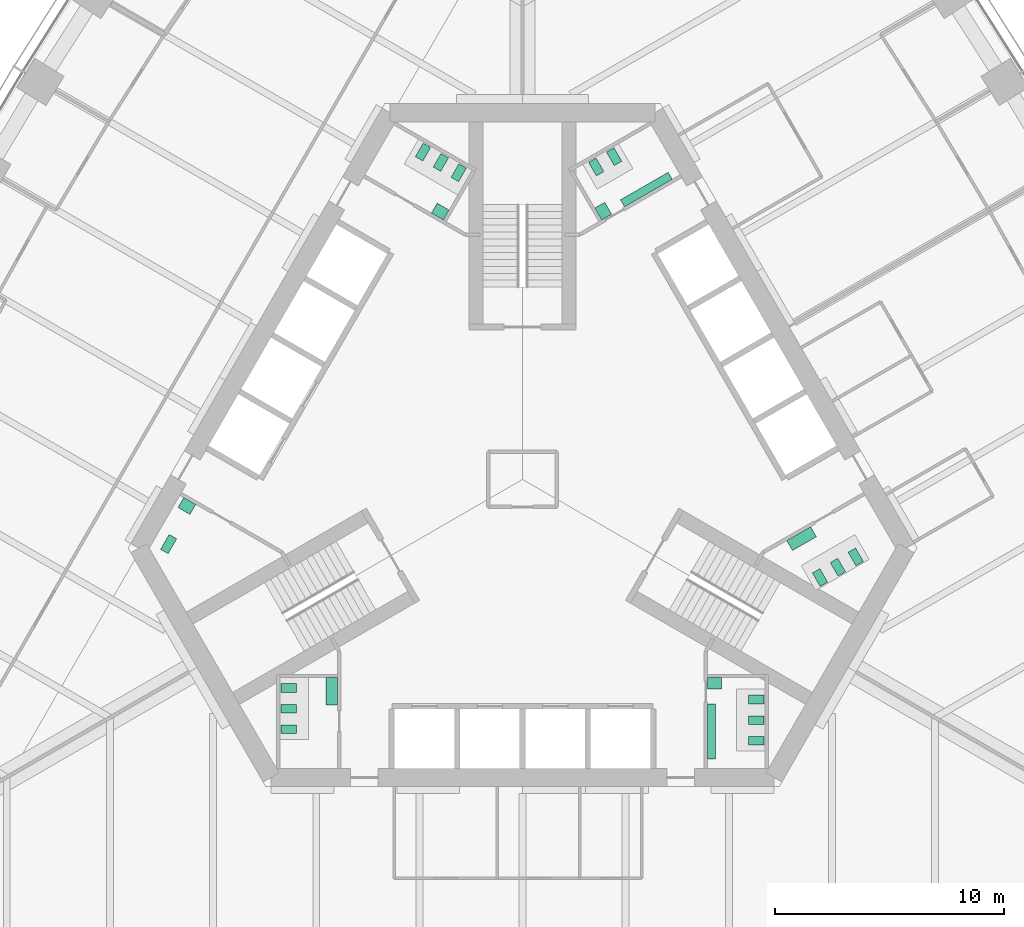
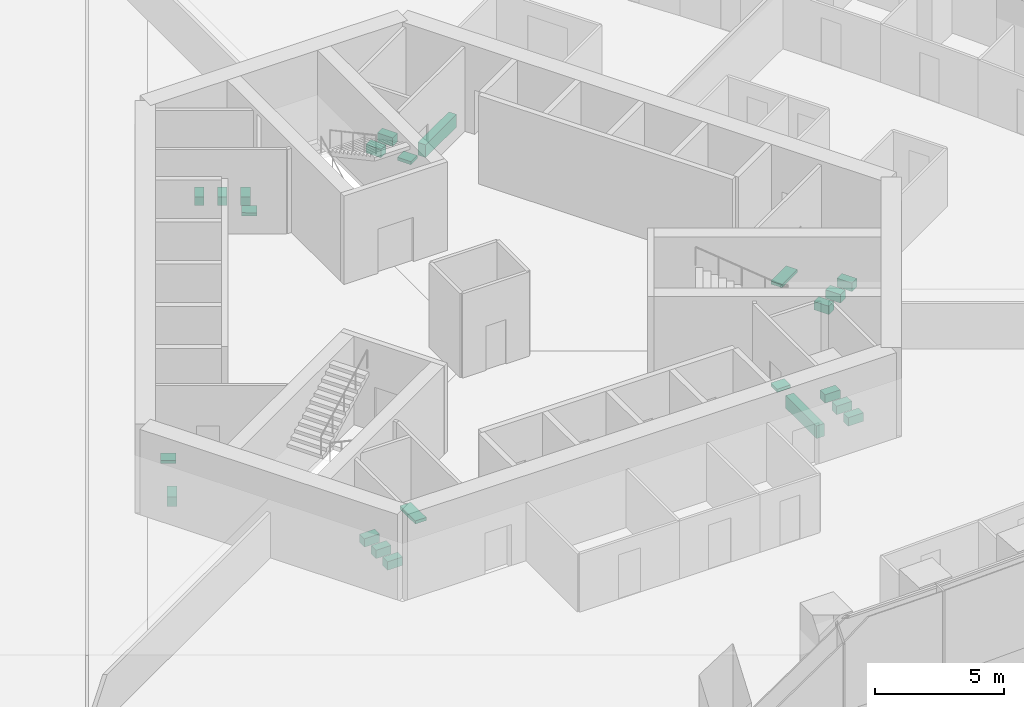
# One storey, part 17 of 18: 23 sanitary terminals.
"""IFC4 building model written with IfcOpenShell, lengths in metres."""

from ifc_helpers import new_model, si_unit, direction, frame, origin, place, context, subcontext, project, spatial, polyline, outline, extrude, material, type_object, element, save


model = new_model("IFC4")

# Units and contexts
model_context = context("Model", 3, precision=1e-05, world=origin(), true_north=direction((0.0, 1.0)))
body_context = subcontext(model_context, "Body", "Model", "MODEL_VIEW")
ifc_project = project(units=[si_unit("LENGTHUNIT", "METRE"), si_unit("AREAUNIT", "SQUARE_METRE"), si_unit("VOLUMEUNIT", "CUBIC_METRE"), si_unit("PLANEANGLEUNIT", "RADIAN"), si_unit("MASSUNIT", "GRAM", prefix="KILO")], contexts=[model_context])

# Site, building, storey
site_placement = place(None, origin())
site = spatial("IfcSite", under=ifc_project, at=site_placement, CompositionType="ELEMENT")
building_placement = place(site_placement, origin())
building = spatial("IfcBuilding", under=site, at=building_placement, Name="Trefoil Bronze Tower", CompositionType="ELEMENT")
storey_placement = place(building_placement, frame((0.0, 0.0, 50.10009765625)))
storey = spatial("IfcBuildingStorey", under=building, at=storey_placement, Name="L11", CompositionType="ELEMENT", Elevation=50.10009765625)

# Sanitary terminals
ifc_material_1 = material(Name="Vitreous china", Category="ceramic")
sanitary_terminal_type_1 = type_object("IfcSanitaryTerminalType", Name="Accessible WC pan", PredefinedType="TOILETPAN", material=ifc_material_1)
sanitary_terminal_1_placement = place(storey_placement, origin())
element("IfcSanitaryTerminal", 1, at=sanitary_terminal_1_placement, inside=storey, type_object=sanitary_terminal_type_1, Name="WC pan 1 Accessible WC L11", PredefinedType="TOILETPAN", context=body_context, shape_type="SweptSolid", body=[
    extrude(outline(polyline([(-15.085693359375, -2.589111328125), (-15.460693359375, -3.238525390625), (-15.789794921875, -3.048583984375), (-15.414794921875, -2.399169921875), (-15.085693359375, -2.589111328125)])), origin(), (0.0, 0.0, 1.0), 0.449951171875),
])
ifc_material_2 = material(Name="Vitreous china", Category="ceramic")
sanitary_terminal_type_2 = type_object("IfcSanitaryTerminalType", Name="Accessible basin", PredefinedType="WASHHANDBASIN", material=ifc_material_2)
sanitary_terminal_2_placement = place(storey_placement, frame((0.0, 0.0, 0.64990234375)))
element("IfcSanitaryTerminal", 2, at=sanitary_terminal_2_placement, inside=storey, type_object=sanitary_terminal_type_2, Name="Wash basin Accessible WC L11", PredefinedType="WASHHANDBASIN", context=body_context, shape_type="SweptSolid", body=[
    extrude(outline(polyline([(-14.256591796875, -1.09326171875), (-14.506591796875, -1.526123046875), (-15.026123046875, -1.22607421875), (-14.776123046875, -0.793212890625), (-14.256591796875, -1.09326171875)])), origin(), (0.0, 0.0, 1.0), 0.14990234375),
])
ifc_material_3 = material(Name="Vitreous china", Category="ceramic")
sanitary_terminal_type_3 = type_object("IfcSanitaryTerminalType", Name="Urinal range 4 urinals", PredefinedType="URINAL", material=ifc_material_3)
sanitary_terminal_3_placement = place(storey_placement, frame((0.0, 0.0, 0.39990234375)))
element("IfcSanitaryTerminal", 3, at=sanitary_terminal_3_placement, inside=storey, type_object=sanitary_terminal_type_3, Name="Urinal range WC (men) L11", PredefinedType="URINAL", context=body_context, shape_type="SweptSolid", body=[
    extrude(outline(polyline([(8.074951171875, -9.800048828125), (8.425048828125, -9.800048828125), (8.425048828125, -12.199951171875), (8.074951171875, -12.199951171875), (8.074951171875, -9.800048828125)])), origin(), (0.0, 0.0, 1.0), 0.60009765625),
])
sanitary_terminal_4_placement = place(storey_placement, frame((0.0, 0.0, 0.39990234375)))
element("IfcSanitaryTerminal", 4, at=sanitary_terminal_4_placement, inside=storey, type_object=sanitary_terminal_type_3, Name="Urinal range WC (men) L11", PredefinedType="URINAL", context=body_context, shape_type="SweptSolid", body=[
    extrude(outline(polyline([(4.449462890625, 11.89306640625), (4.274658203125, 12.1962890625), (6.35302734375, 13.396240234375), (6.528076171875, 13.09326171875), (4.449462890625, 11.89306640625)])), origin(), (0.0, 0.0, 1.0), 0.60009765625),
])
ifc_material_4 = material(Name="Solid surface vanity", Category="plastic")
sanitary_terminal_type_4 = type_object("IfcSanitaryTerminalType", Name="Vanity unit 1 basins", PredefinedType="WASHHANDBASIN", material=ifc_material_4)
sanitary_terminal_5_placement = place(storey_placement, frame((0.0, 0.0, 0.75)))
element("IfcSanitaryTerminal", 5, at=sanitary_terminal_5_placement, inside=storey, type_object=sanitary_terminal_type_4, Name="Vanity unit WC (men) L11", PredefinedType="WASHHANDBASIN", context=body_context, shape_type="SweptSolid", body=[
    extrude(outline(polyline([(8.074951171875, -8.64990234375), (8.675048828125, -8.64990234375), (8.675048828125, -9.14990234375), (8.074951171875, -9.14990234375), (8.074951171875, -8.64990234375)])), origin(), (0.0, 0.0, 1.0), 0.14990234375),
])
sanitary_terminal_6_placement = place(storey_placement, frame((0.0, 0.0, 0.75)))
element("IfcSanitaryTerminal", 6, at=sanitary_terminal_6_placement, inside=storey, type_object=sanitary_terminal_type_4, Name="Vanity unit WC (men) L11", PredefinedType="WASHHANDBASIN", context=body_context, shape_type="SweptSolid", body=[
    extrude(outline(polyline([(3.45361328125, 11.318115234375), (3.153564453125, 11.837890625), (3.586669921875, 12.087890625), (3.88671875, 11.568115234375), (3.45361328125, 11.318115234375)])), origin(), (0.0, 0.0, 1.0), 0.14990234375),
])
sanitary_terminal_7_placement = place(storey_placement, frame((0.0, 0.0, 0.75)))
element("IfcSanitaryTerminal", 7, at=sanitary_terminal_7_placement, inside=storey, type_object=sanitary_terminal_type_4, Name="Vanity unit WC (women) L11", PredefinedType="WASHHANDBASIN", context=body_context, shape_type="SweptSolid", body=[
    extrude(outline(polyline([(-3.45361328125, 11.318115234375), (-3.20361328125, 11.751220703125), (-3.72314453125, 12.05126953125), (-3.97314453125, 11.6181640625), (-3.45361328125, 11.318115234375)])), origin(), (0.0, 0.0, 1.0), 0.14990234375),
])
ifc_material_5 = material(Name="Solid surface vanity", Category="plastic")
sanitary_terminal_type_5 = type_object("IfcSanitaryTerminalType", Name="Vanity unit 2 basins", PredefinedType="WASHHANDBASIN", material=ifc_material_5)
sanitary_terminal_8_placement = place(storey_placement, frame((0.0, 0.0, 0.75)))
element("IfcSanitaryTerminal", 8, at=sanitary_terminal_8_placement, inside=storey, type_object=sanitary_terminal_type_5, Name="Vanity unit WC (women) L11", PredefinedType="WASHHANDBASIN", context=body_context, shape_type="SweptSolid", body=[
    extrude(outline(polyline([(11.528564453125, -2.668212890625), (11.778564453125, -3.10107421875), (12.81787109375, -2.501220703125), (12.56787109375, -2.068115234375), (11.528564453125, -2.668212890625)])), origin(), (0.0, 0.0, 1.0), 0.14990234375),
])
sanitary_terminal_9_placement = place(storey_placement, frame((0.0, 0.0, 0.75)))
element("IfcSanitaryTerminal", 9, at=sanitary_terminal_9_placement, inside=storey, type_object=sanitary_terminal_type_5, Name="Vanity unit WC (women) L11", PredefinedType="WASHHANDBASIN", context=body_context, shape_type="SweptSolid", body=[
    extrude(outline(polyline([(-8.074951171875, -8.64990234375), (-8.574951171875, -8.64990234375), (-8.574951171875, -9.85009765625), (-8.074951171875, -9.85009765625), (-8.074951171875, -8.64990234375)])), origin(), (0.0, 0.0, 1.0), 0.14990234375),
])
ifc_material_6 = material(Name="Vitreous china", Category="ceramic")
sanitary_terminal_type_6 = type_object("IfcSanitaryTerminalType", Name="WC pan", PredefinedType="TOILETPAN", material=ifc_material_6)
sanitary_terminal_10_placement = place(storey_placement, origin())
element("IfcSanitaryTerminal", 10, at=sanitary_terminal_10_placement, inside=storey, type_object=sanitary_terminal_type_6, Name="WC pan 1 WC (men) L11", PredefinedType="TOILETPAN", context=body_context, shape_type="SweptSolid", body=[
    extrude(outline(polyline([(9.85498046875, -9.409912109375), (10.534912109375, -9.409912109375), (10.534912109375, -9.7900390625), (9.85498046875, -9.7900390625), (9.85498046875, -9.409912109375)])), origin(), (0.0, 0.0, 1.0), 0.39990234375),
])
sanitary_terminal_11_placement = place(storey_placement, origin())
element("IfcSanitaryTerminal", 11, at=sanitary_terminal_11_placement, inside=storey, type_object=sanitary_terminal_type_6, Name="WC pan 2 WC (men) L11", PredefinedType="TOILETPAN", context=body_context, shape_type="SweptSolid", body=[
    extrude(outline(polyline([(9.85498046875, -10.31005859375), (10.534912109375, -10.31005859375), (10.534912109375, -10.68994140625), (9.85498046875, -10.68994140625), (9.85498046875, -10.31005859375)])), origin(), (0.0, 0.0, 1.0), 0.39990234375),
])
sanitary_terminal_12_placement = place(storey_placement, origin())
element("IfcSanitaryTerminal", 12, at=sanitary_terminal_12_placement, inside=storey, type_object=sanitary_terminal_type_6, Name="WC pan 3 WC (men) L11", PredefinedType="TOILETPAN", context=body_context, shape_type="SweptSolid", body=[
    extrude(outline(polyline([(9.85498046875, -11.2099609375), (10.534912109375, -11.2099609375), (10.534912109375, -11.590087890625), (9.85498046875, -11.590087890625), (9.85498046875, -11.2099609375)])), origin(), (0.0, 0.0, 1.0), 0.39990234375),
])
sanitary_terminal_13_placement = place(storey_placement, origin())
element("IfcSanitaryTerminal", 13, at=sanitary_terminal_13_placement, inside=storey, type_object=sanitary_terminal_type_6, Name="WC pan 1 WC (women) L11", PredefinedType="TOILETPAN", context=body_context, shape_type="SweptSolid", body=[
    extrude(outline(polyline([(12.643798828125, -4.07958984375), (12.98388671875, -4.66845703125), (13.31298828125, -4.478515625), (12.972900390625, -3.8896484375), (12.643798828125, -4.07958984375)])), origin(), (0.0, 0.0, 1.0), 0.39990234375),
])
sanitary_terminal_14_placement = place(storey_placement, origin())
element("IfcSanitaryTerminal", 14, at=sanitary_terminal_14_placement, inside=storey, type_object=sanitary_terminal_type_6, Name="WC pan 2 WC (women) L11", PredefinedType="TOILETPAN", context=body_context, shape_type="SweptSolid", body=[
    extrude(outline(polyline([(13.423095703125, -3.629638671875), (13.76318359375, -4.218505859375), (14.09228515625, -4.028564453125), (13.752197265625, -3.439697265625), (13.423095703125, -3.629638671875)])), origin(), (0.0, 0.0, 1.0), 0.39990234375),
])
sanitary_terminal_15_placement = place(storey_placement, origin())
element("IfcSanitaryTerminal", 15, at=sanitary_terminal_15_placement, inside=storey, type_object=sanitary_terminal_type_6, Name="WC pan 3 WC (women) L11", PredefinedType="TOILETPAN", context=body_context, shape_type="SweptSolid", body=[
    extrude(outline(polyline([(14.20263671875, -3.1796875), (14.542724609375, -3.7685546875), (14.871826171875, -3.57861328125), (14.53173828125, -2.98974609375), (14.20263671875, -3.1796875)])), origin(), (0.0, 0.0, 1.0), 0.39990234375),
])
sanitary_terminal_16_placement = place(storey_placement, origin())
element("IfcSanitaryTerminal", 16, at=sanitary_terminal_16_placement, inside=storey, type_object=sanitary_terminal_type_6, Name="WC pan 1 WC (men) L11", PredefinedType="TOILETPAN", context=body_context, shape_type="SweptSolid", body=[
    extrude(outline(polyline([(3.2216796875, 13.23974609375), (2.8818359375, 13.82861328125), (3.2109375, 14.0185546875), (3.55078125, 13.4296875), (3.2216796875, 13.23974609375)])), origin(), (0.0, 0.0, 1.0), 0.39990234375),
])
sanitary_terminal_17_placement = place(storey_placement, origin())
element("IfcSanitaryTerminal", 17, at=sanitary_terminal_17_placement, inside=storey, type_object=sanitary_terminal_type_6, Name="WC pan 2 WC (men) L11", PredefinedType="TOILETPAN", context=body_context, shape_type="SweptSolid", body=[
    extrude(outline(polyline([(4.001220703125, 13.689697265625), (3.6611328125, 14.278564453125), (3.990234375, 14.468505859375), (4.330322265625, 13.879638671875), (4.001220703125, 13.689697265625)])), origin(), (0.0, 0.0, 1.0), 0.39990234375),
])
sanitary_terminal_18_placement = place(storey_placement, origin())
element("IfcSanitaryTerminal", 18, at=sanitary_terminal_18_placement, inside=storey, type_object=sanitary_terminal_type_6, Name="WC pan 1 WC (women) L11", PredefinedType="TOILETPAN", context=body_context, shape_type="SweptSolid", body=[
    extrude(outline(polyline([(-2.788818359375, 12.98974609375), (-2.44873046875, 13.57861328125), (-2.77783203125, 13.7685546875), (-3.117919921875, 13.1796875), (-2.788818359375, 12.98974609375)])), origin(), (0.0, 0.0, 1.0), 0.39990234375),
])
sanitary_terminal_19_placement = place(storey_placement, origin())
element("IfcSanitaryTerminal", 19, at=sanitary_terminal_19_placement, inside=storey, type_object=sanitary_terminal_type_6, Name="WC pan 2 WC (women) L11", PredefinedType="TOILETPAN", context=body_context, shape_type="SweptSolid", body=[
    extrude(outline(polyline([(-3.568115234375, 13.439697265625), (-3.228271484375, 14.028564453125), (-3.557373046875, 14.218505859375), (-3.897216796875, 13.629638671875), (-3.568115234375, 13.439697265625)])), origin(), (0.0, 0.0, 1.0), 0.39990234375),
])
sanitary_terminal_20_placement = place(storey_placement, origin())
element("IfcSanitaryTerminal", 20, at=sanitary_terminal_20_placement, inside=storey, type_object=sanitary_terminal_type_6, Name="WC pan 3 WC (women) L11", PredefinedType="TOILETPAN", context=body_context, shape_type="SweptSolid", body=[
    extrude(outline(polyline([(-4.34765625, 13.8896484375), (-4.007568359375, 14.478515625), (-4.336669921875, 14.66845703125), (-4.6767578125, 14.07958984375), (-4.34765625, 13.8896484375)])), origin(), (0.0, 0.0, 1.0), 0.39990234375),
])
sanitary_terminal_21_placement = place(storey_placement, origin())
element("IfcSanitaryTerminal", 21, at=sanitary_terminal_21_placement, inside=storey, type_object=sanitary_terminal_type_6, Name="WC pan 1 WC (women) L11", PredefinedType="TOILETPAN", context=body_context, shape_type="SweptSolid", body=[
    extrude(outline(polyline([(-9.85498046875, -8.909912109375), (-10.534912109375, -8.909912109375), (-10.534912109375, -9.2900390625), (-9.85498046875, -9.2900390625), (-9.85498046875, -8.909912109375)])), origin(), (0.0, 0.0, 1.0), 0.39990234375),
])
sanitary_terminal_22_placement = place(storey_placement, origin())
element("IfcSanitaryTerminal", 22, at=sanitary_terminal_22_placement, inside=storey, type_object=sanitary_terminal_type_6, Name="WC pan 2 WC (women) L11", PredefinedType="TOILETPAN", context=body_context, shape_type="SweptSolid", body=[
    extrude(outline(polyline([(-9.85498046875, -9.81005859375), (-10.534912109375, -9.81005859375), (-10.534912109375, -10.18994140625), (-9.85498046875, -10.18994140625), (-9.85498046875, -9.81005859375)])), origin(), (0.0, 0.0, 1.0), 0.39990234375),
])
sanitary_terminal_23_placement = place(storey_placement, origin())
element("IfcSanitaryTerminal", 23, at=sanitary_terminal_23_placement, inside=storey, type_object=sanitary_terminal_type_6, Name="WC pan 3 WC (women) L11", PredefinedType="TOILETPAN", context=body_context, shape_type="SweptSolid", body=[
    extrude(outline(polyline([(-9.85498046875, -10.7099609375), (-10.534912109375, -10.7099609375), (-10.534912109375, -11.090087890625), (-9.85498046875, -11.090087890625), (-9.85498046875, -10.7099609375)])), origin(), (0.0, 0.0, 1.0), 0.39990234375),
])

save(model, "model.ifc")
